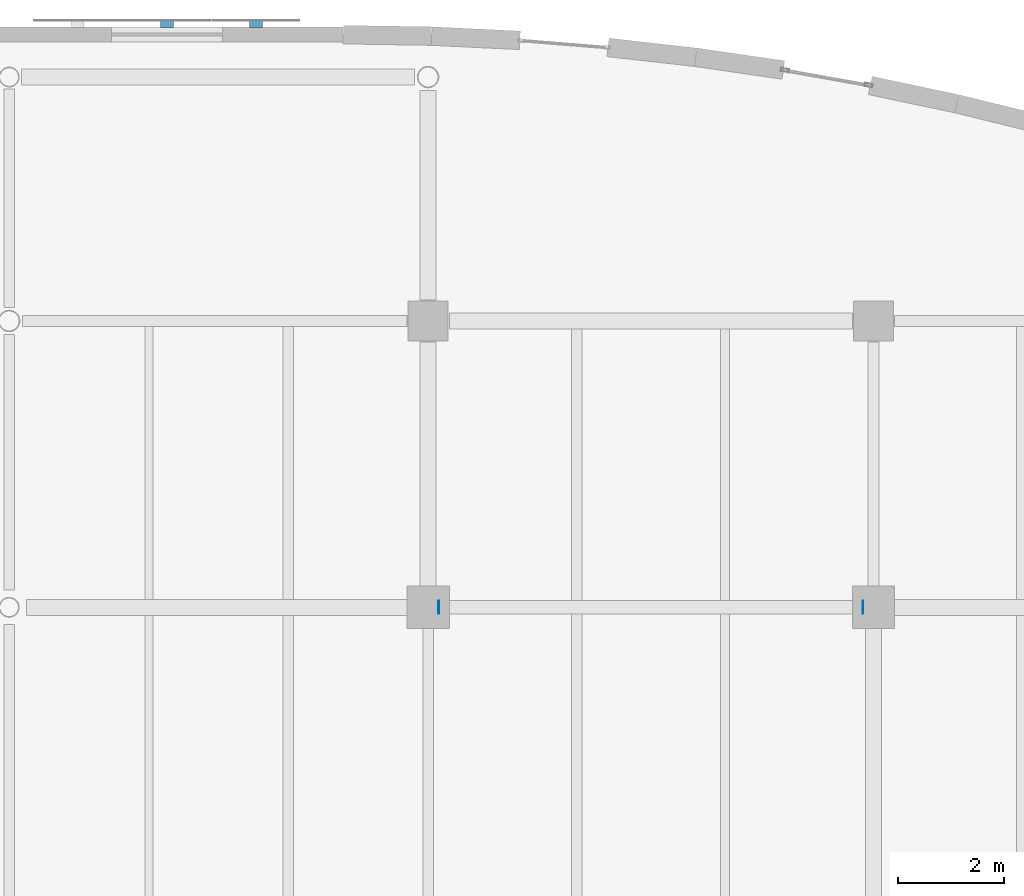
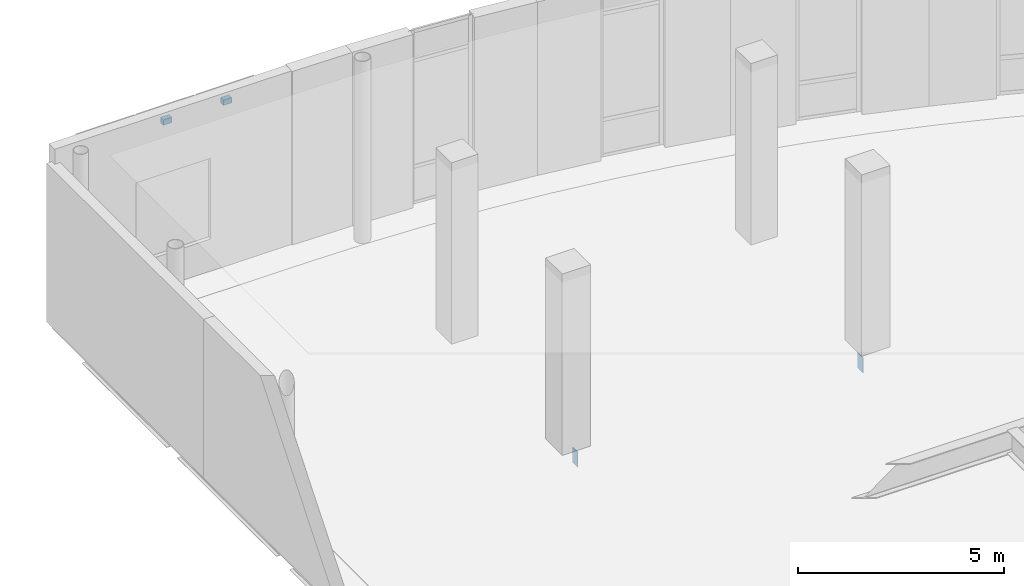
# One storey, part 83 of 110: 4 discrete accessories.
"""IFC4 building model written with IfcOpenShell, lengths in metres."""

from ifc_helpers import new_model, si_unit, direction, frame, origin, origin_2d, place, context, subcontext, project, spatial, rectangle, extrude, material, type_object, element, save


model = new_model("IFC4")

# Units and contexts
model_context = context("Model", 3, precision=1e-05, world=origin(), true_north=direction((0.0, 1.0)))
body_context = subcontext(model_context, "Body", "Model", "MODEL_VIEW")
ifc_project = project(units=[si_unit("LENGTHUNIT", "METRE"), si_unit("AREAUNIT", "SQUARE_METRE"), si_unit("VOLUMEUNIT", "CUBIC_METRE"), si_unit("PLANEANGLEUNIT", "RADIAN"), si_unit("MASSUNIT", "GRAM", prefix="KILO"), si_unit("THERMODYNAMICTEMPERATUREUNIT", "KELVIN")], contexts=[model_context])

# Site, building, storey
site_placement = place(None, origin())
site = spatial("IfcSite", under=ifc_project, at=site_placement, CompositionType="ELEMENT")
building_placement = place(site_placement, origin())
building = spatial("IfcBuilding", under=site, at=building_placement, Name="Lustrewick Department Store", CompositionType="ELEMENT")
storey_placement = place(building_placement, frame((0.0, 0.0, 6.0)))
storey = spatial("IfcBuildingStorey", under=building, at=storey_placement, Name="L02", CompositionType="ELEMENT", Elevation=6.0)

# Discrete accessories
ifc_material_1 = material(Name="Anodized filigree aluminium 6061-T6", Category="aluminium")
discrete_accessory_type_1 = type_object("IfcDiscreteAccessoryType", Name="BRK-FIL", PredefinedType="BRACKET", material=ifc_material_1)
for number, where, z_axis, x_axis, name in (
    (1, (114.35498046875, 111.800048828125, 4.56494140625), (0.0, 0.0, 1.0), (-1.0, 0.0, 0.0), "L02 Filigree Stand-Off Bracket 0202"),
    (2, (112.675048828125, 111.800048828125, 4.56494140625), (0.0, 0.0, 1.0), (-1.0, 0.0, 0.0), "L02 Filigree Stand-Off Bracket 0203"),
):
    element("IfcDiscreteAccessory", number, at=place(storey_placement, frame(where, z_axis=z_axis, x_axis=x_axis)), inside=storey, type_object=discrete_accessory_type_1, Name=name, PredefinedType="BRACKET", context=body_context, shape_type="SweptSolid", body=[
        extrude(rectangle(XDim=0.239990234375, YDim=0.139892578125, at=origin_2d()), origin(), (0.0, 0.0, 1.0), 0.159912109375),
    ])
ifc_material_2 = material(Name="Structural steel Q355C", Category="steel")
discrete_accessory_type_2 = type_object("IfcDiscreteAccessoryType", Name="ECP-01", PredefinedType="USERDEFINED", material=ifc_material_2)
for number, where, z_axis, x_axis, name in (
    (3, (125.7939453125, 100.800048828125, -0.47998046875), (1.0, 0.0, 0.0), (0.0, 1.0, 0.0), "L02 Welded Hollow-Section End-Cap Plate ECP-01"),
    (4, (117.80615234375, 100.800048828125, -0.47998046875), (-1.0, 0.0, 0.0), (0.0, 1.0, 0.0), "L02 Welded Hollow-Section End-Cap Plate ECP-01"),
):
    element("IfcDiscreteAccessory", number, at=place(storey_placement, frame(where, z_axis=z_axis, x_axis=x_axis)), inside=storey, type_object=discrete_accessory_type_2, Name=name, ObjectType="END_CAP_PLATE", PredefinedType="USERDEFINED", context=body_context, shape_type="SweptSolid", body=[
        extrude(rectangle(XDim=0.25, YDim=0.449951171875, at=origin_2d()), origin(), (0.0, 0.0, 1.0), 0.01611328125),
    ])

save(model, "model.ifc")
